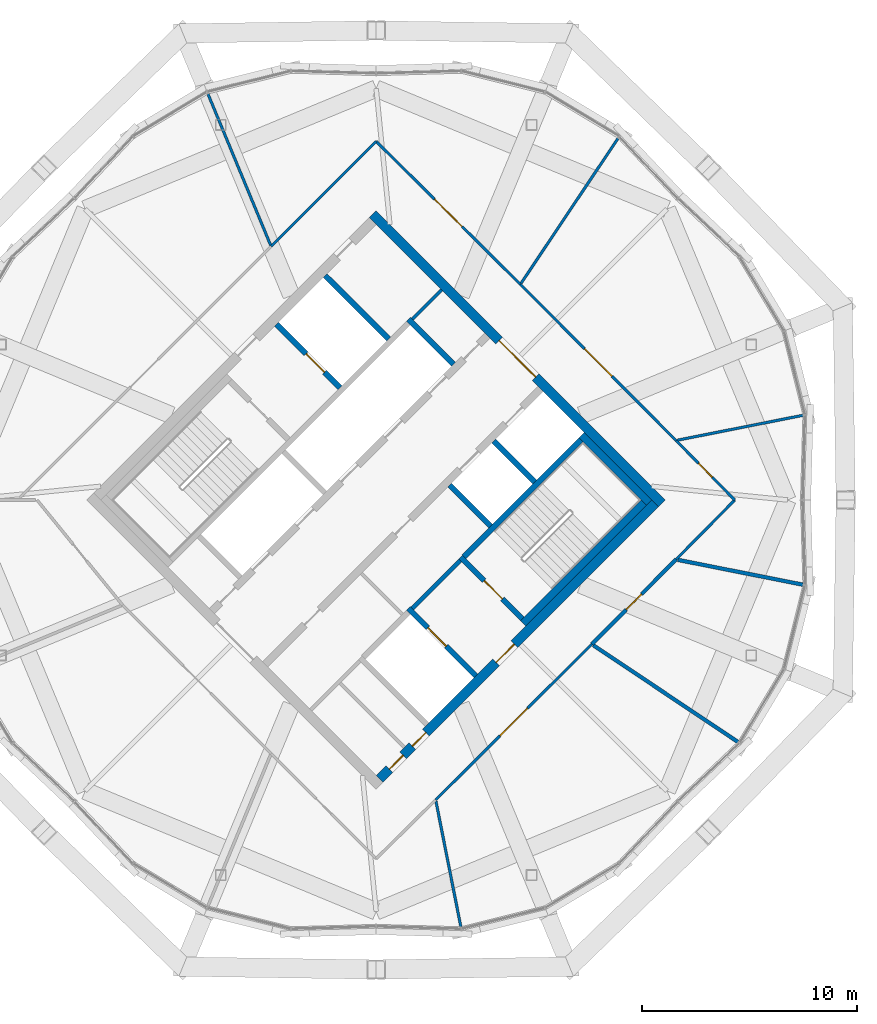
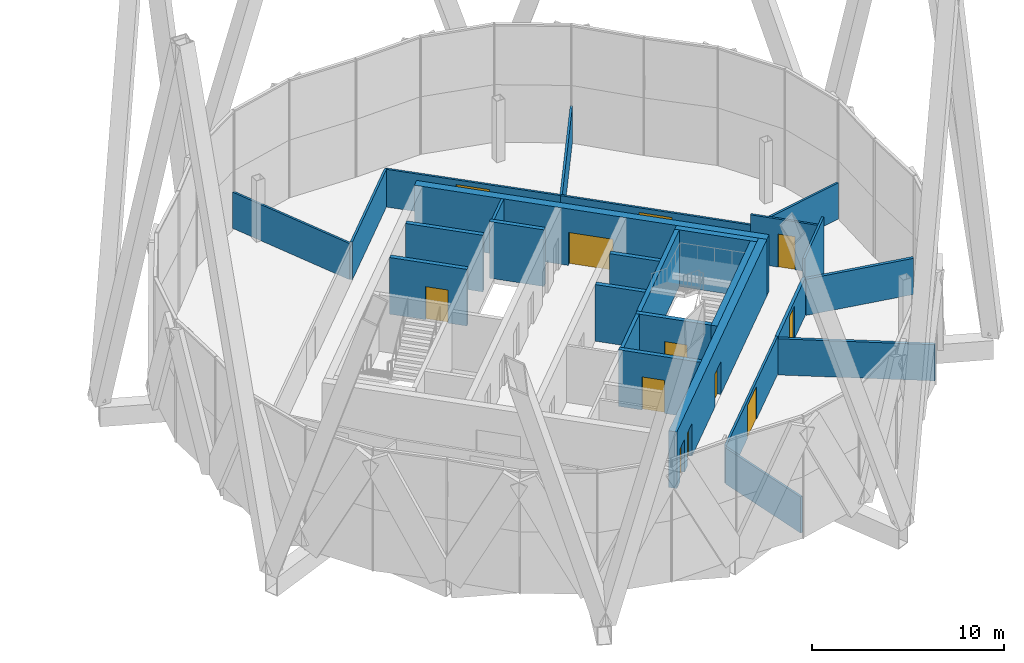
# One storey, part 49 of 53: 27 walls, 12 doors, 12 openings.
"""IFC4 building model written with IfcOpenShell, lengths in metres."""

from ifc_helpers import new_model, si_unit, direction, frame, frame_2d, origin, place, context, subcontext, project, spatial, rectangle, extrude, material, layer, layer_set, type_object, element, fill, save


model = new_model("IFC4")

# Units and contexts
model_context = context("Model", 3, precision=1e-05, world=origin(), true_north=direction((0.0, 1.0)))
body_context = subcontext(model_context, "Body", "Model", "MODEL_VIEW")
ifc_project = project(units=[si_unit("LENGTHUNIT", "METRE"), si_unit("AREAUNIT", "SQUARE_METRE"), si_unit("VOLUMEUNIT", "CUBIC_METRE"), si_unit("PLANEANGLEUNIT", "RADIAN"), si_unit("MASSUNIT", "GRAM", prefix="KILO")], contexts=[model_context])

# Site, building, storey
site_placement = place(None, origin())
site = spatial("IfcSite", under=ifc_project, at=site_placement, CompositionType="ELEMENT")
building_placement = place(site_placement, origin())
building = spatial("IfcBuilding", under=site, at=building_placement, Name="Ogive Gate Towers", CompositionType="ELEMENT")
storey_placement = place(building_placement, frame((0.0, 0.0, 240.60009765625)))
storey = spatial("IfcBuildingStorey", under=building, at=storey_placement, Name="L57", CompositionType="ELEMENT", Elevation=240.60009765625)

# Walls
ifc_material_1 = material(Name="Gypsum board acoustic partition")
ifc_layer_1 = layer(ifc_material_1, 0.175048828125)
ifc_layer_set_1 = layer_set([ifc_layer_1], Name="Acoustic partition 175")
wall_type_1 = type_object("IfcWallType", Name="Acoustic partition 175", PredefinedType="PARTITIONING", material=ifc_layer_set_1)
wall_1_placement = place(storey_placement, frame((52.89599609375, -11.300048828125, 0.0), z_axis=(0.0, 0.0, 1.0), x_axis=(-0.831223715201, 0.555938067852, 0.0)))
element("IfcWall", 1, at=wall_1_placement, inside=storey, type_object=wall_type_1, Name="Partition T2-L57-008", PredefinedType="PARTITIONING", context=body_context, shape_type="SweptSolid", body=[
    extrude(rectangle(XDim=8.1884765625, YDim=0.175048828125, at=frame_2d((4.09423828125, 0.0))), origin(), (0.0, 0.0, 1.0), 2.2998046875),
])
wall_2_placement = place(storey_placement, frame((55.822998046875, -3.93408203125, 0.0), z_axis=(0.0, 0.0, 1.0), x_axis=(-0.9808666392, 0.194680857059, 0.0)))
element("IfcWall", 2, at=wall_2_placement, inside=storey, type_object=wall_type_1, Name="Partition T2-L57-009", PredefinedType="PARTITIONING", context=body_context, shape_type="SweptSolid", body=[
    extrude(rectangle(XDim=5.921630859375, YDim=0.175048828125, at=frame_2d((2.9609375, 0.0))), origin(), (0.0, 0.0, 1.0), 2.2998046875),
])

# Wall, opening, door
wall_3_placement = place(storey_placement, frame((46.016845703125, -6.69921875, 0.0), z_axis=(0.0, 0.0, 1.0), x_axis=(0.705057815865, 0.709149826404, 0.0)))
wall_3 = element("IfcWall", 3, at=wall_3_placement, inside=storey, type_object=wall_type_1, Name="Partition T2-L57-016", PredefinedType="PARTITIONING", context=body_context, shape_type="SweptSolid", body=[
    extrude(rectangle(XDim=5.548583984375, YDim=0.175048828125, at=frame_2d((2.7744140625, 0.0))), origin(), (0.0, 0.0, 1.0), 2.39990234375),
])
opening_1_placement = place(wall_3_placement, frame((2.27392578125, 0.0, 0.0)))
opening_1 = element("IfcOpeningElement", 4, at=opening_1_placement, cuts=wall_3, Name="Opening T2-L57-D06", PredefinedType="OPENING", context=body_context, shape_type="SweptSolid", body=[
    extrude(rectangle(XDim=1.0, YDim=2.10009765625, at=frame_2d((0.5, 1.050048828125))), frame((0.0, 0.09765625, 0.0), z_axis=(0.0, -1.0, 0.0), x_axis=(1.0, 0.0, 0.0)), (0.0, 0.0, 1.0), 0.195068359375),
])
ifc_material_2 = material(Name="Timber door", Category="wood")
door_type_1 = type_object("IfcDoorType", Name="Door 1000", OperationType="NOTDEFINED", PredefinedType="DOOR", material=ifc_material_2)
door_1_placement = place(opening_1_placement, origin())
door_1 = element("IfcDoor", 5, at=door_1_placement, inside=storey, type_object=door_type_1, Name="Door T2-L57-D06", OperationType="SINGLE_SWING_RIGHT", OverallHeight=2.10009765625, OverallWidth=1.0, PredefinedType="DOOR", context=body_context, shape_type="SweptSolid", body=[
    extrude(rectangle(XDim=1.0, YDim=2.10009765625, at=frame_2d((0.5, 1.050048828125))), frame((0.0, 0.02490234375, 0.0), z_axis=(0.0, -1.0, 0.0), x_axis=(1.0, 0.0, 0.0)), (0.0, 0.0, 1.0), 0.050048828125),
])
fill(opening_1, door_1)

# Wall
ifc_material_3 = material(Name="Masonry blockwork", Category="masonry")
ifc_layer_2 = layer(ifc_material_3, 0.199951171875)
ifc_layer_set_2 = layer_set([ifc_layer_2], Name="Blockwork wall 200 mm")
wall_type_2 = type_object("IfcWallType", Name="Blockwork wall 200 mm", PredefinedType="PARTITIONING", material=ifc_layer_set_2)
wall_4_placement = place(storey_placement, frame((37.679443359375, -5.0380859375, 0.0), z_axis=(0.0, 0.0, 1.0), x_axis=(0.707106781187, 0.707106781187, 0.0)))
element("IfcWall", 6, at=wall_4_placement, inside=storey, type_object=wall_type_2, Name="T2 L57 Blockwork wall 200 mm", PredefinedType="PARTITIONING", context=body_context, shape_type="SweptSolid", body=[
    extrude(rectangle(XDim=3.14990234375, YDim=0.199951171875, at=frame_2d((1.574951171875, 0.0))), origin(), (0.0, 0.0, 1.0), 3.599853515625),
])

# Wall, openings, doors
ifc_material_4 = material(Name="Concrete C60/75", Category="concrete")
ifc_layer_3 = layer(ifc_material_4, 0.449951171875)
ifc_layer_set_3 = layer_set([ifc_layer_3], Name="Core wall 450 mm")
wall_type_3 = type_object("IfcWallType", Name="Core wall 450 mm", PredefinedType="SHEAR", material=ifc_layer_set_3)
wall_5_placement = place(storey_placement, frame((36.1591796875, -12.957763671875, 0.0), z_axis=(0.0, 0.0, 1.0), x_axis=(0.707106781187, 0.707106781187, 0.0)))
wall_5 = element("IfcWall", 7, at=wall_5_placement, inside=storey, type_object=wall_type_3, Name="T2 L57 Core wall 450 mm", PredefinedType="SHEAR", context=body_context, shape_type="SweptSolid", body=[
    extrude(rectangle(XDim=18.099853515625, YDim=0.449951171875, at=frame_2d((9.0498046875, 0.0))), origin(), (0.0, 0.0, 1.0), 3.599853515625),
])
opening_2_placement = place(wall_5_placement, frame((7.64990234375, 0.0, 0.0)))
opening_2 = element("IfcOpeningElement", 8, at=opening_2_placement, cuts=wall_5, Name="Opening KD-T2-L57-19", PredefinedType="OPENING", context=body_context, shape_type="SweptSolid", body=[
    extrude(rectangle(XDim=1.199951171875, YDim=2.10009765625, at=frame_2d((0.60009765625, 1.050048828125))), frame((0.0, 0.23486328125, 0.0), z_axis=(0.0, -1.0, 0.0), x_axis=(1.0, 0.0, 0.0)), (0.0, 0.0, 1.0), 0.469970703125),
])
opening_3_placement = place(wall_5_placement, frame((0.64990234375, 0.0, 0.0)))
opening_3 = element("IfcOpeningElement", 9, at=opening_3_placement, cuts=wall_5, Name="Opening KD-T2-L57-21", PredefinedType="OPENING", context=body_context, shape_type="SweptSolid", body=[
    extrude(rectangle(XDim=0.89990234375, YDim=2.10009765625, at=frame_2d((0.449951171875, 1.050048828125))), frame((0.0, 0.23486328125, 0.0), z_axis=(0.0, -1.0, 0.0), x_axis=(1.0, 0.0, 0.0)), (0.0, 0.0, 1.0), 0.469970703125),
])
opening_4_placement = place(wall_5_placement, frame((2.14990234375, 0.0, 0.0)))
opening_4 = element("IfcOpeningElement", 10, at=opening_4_placement, cuts=wall_5, Name="Opening KD-T2-L57-22", PredefinedType="OPENING", context=body_context, shape_type="SweptSolid", body=[
    extrude(rectangle(XDim=0.89990234375, YDim=2.10009765625, at=frame_2d((0.449951171875, 1.050048828125))), frame((0.0, 0.23486328125, 0.0), z_axis=(0.0, -1.0, 0.0), x_axis=(1.0, 0.0, 0.0)), (0.0, 0.0, 1.0), 0.469970703125),
])
door_type_2 = type_object("IfcDoorType", Name="Core WC door 900 x 2100", OperationType="NOTDEFINED", PredefinedType="DOOR", material=ifc_material_2)
door_2_placement = place(opening_3_placement, origin())
door_2 = element("IfcDoor", 11, at=door_2_placement, inside=storey, type_object=door_type_2, Name="T2 L57 Core door", OperationType="SINGLE_SWING_RIGHT", OverallHeight=2.10009765625, OverallWidth=0.89990234375, PredefinedType="DOOR", context=body_context, shape_type="SweptSolid", body=[
    extrude(rectangle(XDim=0.89990234375, YDim=2.10009765625, at=frame_2d((0.449951171875, 1.050048828125))), frame((0.0, 0.02490234375, 0.0), z_axis=(0.0, -1.0, 0.0), x_axis=(1.0, 0.0, 0.0)), (0.0, 0.0, 1.0), 0.050048828125),
])
fill(opening_3, door_2)
door_3_placement = place(opening_4_placement, origin())
door_3 = element("IfcDoor", 12, at=door_3_placement, inside=storey, type_object=door_type_2, Name="T2 L57 Core door", OperationType="SINGLE_SWING_LEFT", OverallHeight=2.10009765625, OverallWidth=0.89990234375, PredefinedType="DOOR", context=body_context, shape_type="SweptSolid", body=[
    extrude(rectangle(XDim=0.89990234375, YDim=2.10009765625, at=frame_2d((0.449951171875, 1.050048828125))), frame((0.0, 0.02490234375, 0.0), z_axis=(0.0, -1.0, 0.0), x_axis=(1.0, 0.0, 0.0)), (0.0, 0.0, 1.0), 0.050048828125),
])
fill(opening_4, door_3)
ifc_material_5 = material(Name="Steel fire door", Category="steel")
door_type_3 = type_object("IfcDoorType", Name="Core door FD60S 1200 x 2100", OperationType="NOTDEFINED", PredefinedType="DOOR", material=ifc_material_5)
door_4_placement = place(opening_2_placement, origin())
door_4 = element("IfcDoor", 13, at=door_4_placement, inside=storey, type_object=door_type_3, Name="T2 L57 Fire-fighting lobby door", OperationType="SINGLE_SWING_RIGHT", OverallHeight=2.10009765625, OverallWidth=1.199951171875, PredefinedType="DOOR", context=body_context, shape_type="SweptSolid", body=[
    extrude(rectangle(XDim=1.199951171875, YDim=2.10009765625, at=frame_2d((0.60009765625, 1.050048828125))), frame((0.0, 0.02490234375, 0.0), z_axis=(0.0, -1.0, 0.0), x_axis=(1.0, 0.0, 0.0)), (0.0, 0.0, 1.0), 0.050048828125),
])
fill(opening_2, door_4)

# Wall, opening, door
wall_6_placement = place(storey_placement, frame((49.27587890625, -0.1591796875, 0.0), z_axis=(0.0, 0.0, 1.0), x_axis=(-0.707106781187, 0.707106781187, 0.0)))
wall_6 = element("IfcWall", 14, at=wall_6_placement, inside=storey, type_object=wall_type_3, Name="T2 L57 Core wall 450 mm", PredefinedType="SHEAR", context=body_context, shape_type="SweptSolid", body=[
    extrude(rectangle(XDim=19.0, YDim=0.449951171875, at=frame_2d((9.5, 0.0))), origin(), (0.0, 0.0, 1.0), 3.599853515625),
])
opening_5_placement = place(wall_6_placement, frame((8.300048828125, 0.0, 0.0)))
opening_5 = element("IfcOpeningElement", 15, at=opening_5_placement, cuts=wall_6, Name="Opening KD-T2-L57-02", PredefinedType="OPENING", context=body_context, shape_type="SweptSolid", body=[
    extrude(rectangle(XDim=2.39990234375, YDim=2.10009765625, at=frame_2d((1.199951171875, 1.050048828125))), frame((0.0, 0.23486328125, 0.0), z_axis=(0.0, -1.0, 0.0), x_axis=(1.0, 0.0, 0.0)), (0.0, 0.0, 1.0), 0.469970703125),
])
door_type_4 = type_object("IfcDoorType", Name="Core double door FD60S 2400 x 2100", OperationType="DOUBLE_DOOR_SINGLE_SWING", PredefinedType="DOOR", material=ifc_material_5)
door_5_placement = place(opening_5_placement, origin())
door_5 = element("IfcDoor", 16, at=door_5_placement, inside=storey, type_object=door_type_4, Name="T2 L57 Core door double", OperationType="DOUBLE_DOOR_SINGLE_SWING", OverallHeight=2.10009765625, OverallWidth=2.39990234375, PredefinedType="DOOR", context=body_context, shape_type="SweptSolid", body=[
    extrude(rectangle(XDim=2.39990234375, YDim=2.10009765625, at=frame_2d((1.199951171875, 1.050048828125))), frame((0.0, 0.02490234375, 0.0), z_axis=(0.0, -1.0, 0.0), x_axis=(1.0, 0.0, 0.0)), (0.0, 0.0, 1.0), 0.050048828125),
])
fill(opening_5, door_5)

# Walls
ifc_material_6 = material(Name="Gypsum board partition")
ifc_layer_4 = layer(ifc_material_6, 0.125)
ifc_layer_set_4 = layer_set([ifc_layer_4], Name="Partition 125")
wall_type_4 = type_object("IfcWallType", Name="Partition 125", PredefinedType="PARTITIONING", material=ifc_layer_set_4)
wall_7_placement = place(storey_placement, frame((55.822998046875, 3.93408203125, 0.0), z_axis=(0.0, 0.0, 1.0), x_axis=(-0.980873285641, -0.194647367093, 0.0)))
element("IfcWall", 17, at=wall_7_placement, inside=storey, type_object=wall_type_4, Name="Partition T2-L57-001", PredefinedType="PARTITIONING", context=body_context, shape_type="SweptSolid", body=[
    extrude(rectangle(XDim=5.946533203125, YDim=0.125, at=frame_2d((2.97314453125, 0.0))), origin(), (0.0, 0.0, 1.0), 2.2998046875),
])
wall_8_placement = place(storey_placement, frame((47.300048828125, 16.89599609375, 0.0), z_axis=(0.0, 0.0, 1.0), x_axis=(-0.555927420899, -0.831230835985, 0.0)))
element("IfcWall", 18, at=wall_8_placement, inside=storey, type_object=wall_type_4, Name="Partition T2-L57-002", PredefinedType="PARTITIONING", context=body_context, shape_type="SweptSolid", body=[
    extrude(rectangle(XDim=8.213623046875, YDim=0.125, at=frame_2d((4.10693359375, 0.0))), origin(), (0.0, 0.0, 1.0), 2.2998046875),
])
wall_9_placement = place(storey_placement, frame((28.155517578125, 18.93798828125, 0.0), z_axis=(0.0, 0.0, 1.0), x_axis=(0.382690357736, -0.923876663898, 0.0)))
element("IfcWall", 19, at=wall_9_placement, inside=storey, type_object=wall_type_4, Name="Partition T2-L57-003", PredefinedType="PARTITIONING", context=body_context, shape_type="SweptSolid", body=[
    extrude(rectangle(XDim=7.684814453125, YDim=0.125, at=frame_2d((3.84228515625, 0.0))), origin(), (0.0, 0.0, 1.0), 2.2998046875),
])
wall_10_placement = place(storey_placement, frame((39.93408203125, -19.822998046875, 0.0), z_axis=(0.0, 0.0, 1.0), x_axis=(-0.194647367093, 0.980873285641, 0.0)))
element("IfcWall", 20, at=wall_10_placement, inside=storey, type_object=wall_type_4, Name="Partition T2-L57-007", PredefinedType="PARTITIONING", context=body_context, shape_type="SweptSolid", body=[
    extrude(rectangle(XDim=5.946533203125, YDim=0.125, at=frame_2d((2.97314453125, 0.0))), origin(), (0.0, 0.0, 1.0), 2.2998046875),
])

# Wall, opening, door
wall_11_placement = place(storey_placement, frame((38.764404296875, -13.928955078125, 0.0), z_axis=(0.0, 0.0, 1.0), x_axis=(0.708214508898, 0.705997315424, 0.0)))
wall_11 = element("IfcWall", 21, at=wall_11_placement, inside=storey, type_object=wall_type_4, Name="Partition T2-L57-015", PredefinedType="PARTITIONING", context=body_context, shape_type="SweptSolid", body=[
    extrude(rectangle(XDim=10.240478515625, YDim=0.125, at=frame_2d((5.1201171875, 0.0))), origin(), (0.0, 0.0, 1.0), 2.39990234375),
])
opening_6_placement = place(wall_11_placement, frame((4.219970703125, 0.0, 0.0)))
opening_6 = element("IfcOpeningElement", 22, at=opening_6_placement, cuts=wall_11, Name="Opening T2-L57-D05", PredefinedType="OPENING", context=body_context, shape_type="SweptSolid", body=[
    extrude(rectangle(XDim=1.800048828125, YDim=2.10009765625, at=frame_2d((0.89990234375, 1.050048828125))), frame((0.0, 0.072509765625, 0.0), z_axis=(0.0, -1.0, 0.0), x_axis=(1.0, 0.0, 0.0)), (0.0, 0.0, 1.0), 0.14501953125),
])
door_type_5 = type_object("IfcDoorType", Name="Door pair 1800", OperationType="NOTDEFINED", PredefinedType="DOOR", material=ifc_material_2)
door_6_placement = place(opening_6_placement, origin())
door_6 = element("IfcDoor", 23, at=door_6_placement, inside=storey, type_object=door_type_5, Name="Door T2-L57-D05", OperationType="DOUBLE_DOOR_DOUBLE_SWING", OverallHeight=2.10009765625, OverallWidth=1.800048828125, PredefinedType="DOOR", context=body_context, shape_type="SweptSolid", body=[
    extrude(rectangle(XDim=1.800048828125, YDim=2.10009765625, at=frame_2d((0.89990234375, 1.050048828125))), frame((0.0, 0.02490234375, 0.0), z_axis=(0.0, -1.0, 0.0), x_axis=(1.0, 0.0, 0.0)), (0.0, 0.0, 1.0), 0.050048828125),
])
fill(opening_6, door_6)

wall_12_placement = place(storey_placement, frame((52.659423828125, 0.0, 0.0), z_axis=(0.0, 0.0, 1.0), x_axis=(-0.702726389959, 0.711460203282, 0.0)))
wall_12 = element("IfcWall", 24, at=wall_12_placement, inside=storey, type_object=wall_type_4, Name="Partition T2-L57-017", PredefinedType="PARTITIONING", context=body_context, shape_type="SweptSolid", body=[
    extrude(rectangle(XDim=3.885498046875, YDim=0.125, at=frame_2d((1.94287109375, 0.0))), origin(), (0.0, 0.0, 1.0), 3.0498046875),
])
opening_7_placement = place(wall_12_placement, frame((1.492919921875, 0.0, 0.0)))
opening_7 = element("IfcOpeningElement", 25, at=opening_7_placement, cuts=wall_12, Name="Opening T2-L57-D07", PredefinedType="OPENING", context=body_context, shape_type="SweptSolid", body=[
    extrude(rectangle(XDim=0.89990234375, YDim=2.10009765625, at=frame_2d((0.449951171875, 1.050048828125))), frame((0.0, 0.072509765625, 0.0), z_axis=(0.0, -1.0, 0.0), x_axis=(1.0, 0.0, 0.0)), (0.0, 0.0, 1.0), 0.14501953125),
])
door_type_6 = type_object("IfcDoorType", Name="Door 900", OperationType="NOTDEFINED", PredefinedType="DOOR", material=ifc_material_2)
door_7_placement = place(opening_7_placement, origin())
door_7 = element("IfcDoor", 26, at=door_7_placement, inside=storey, type_object=door_type_6, Name="Door T2-L57-D07", OperationType="SINGLE_SWING_LEFT", OverallHeight=2.10009765625, OverallWidth=0.89990234375, PredefinedType="DOOR", context=body_context, shape_type="SweptSolid", body=[
    extrude(rectangle(XDim=0.89990234375, YDim=2.10009765625, at=frame_2d((0.449951171875, 1.050048828125))), frame((0.0, 0.02490234375, 0.0), z_axis=(0.0, -1.0, 0.0), x_axis=(1.0, 0.0, 0.0)), (0.0, 0.0, 1.0), 0.050048828125),
])
fill(opening_7, door_7)

# Wall
wall_13_placement = place(storey_placement, frame((49.928955078125, -2.764404296875, 0.0), z_axis=(0.0, 0.0, 1.0), x_axis=(0.702726389959, 0.711460203282, 0.0)))
element("IfcWall", 27, at=wall_13_placement, inside=storey, type_object=wall_type_4, Name="Partition T2-L57-018", PredefinedType="PARTITIONING", context=body_context, shape_type="SweptSolid", body=[
    extrude(rectangle(XDim=3.885498046875, YDim=0.125, at=frame_2d((1.94287109375, 0.0))), origin(), (0.0, 0.0, 1.0), 3.599853515625),
])

# Wall, opening, door
wall_14_placement = place(storey_placement, frame((49.928955078125, 2.764404296875, 0.0), z_axis=(0.0, 0.0, 1.0), x_axis=(-0.705997315424, 0.708214508898, 0.0)))
wall_14 = element("IfcWall", 28, at=wall_14_placement, inside=storey, type_object=wall_type_4, Name="Partition T2-L57-019", PredefinedType="PARTITIONING", context=body_context, shape_type="SweptSolid", body=[
    extrude(rectangle(XDim=10.240478515625, YDim=0.125, at=frame_2d((5.1201171875, 0.0))), origin(), (0.0, 0.0, 1.0), 2.39990234375),
])
opening_8_placement = place(wall_14_placement, frame((4.219970703125, 0.0, 0.0)))
opening_8 = element("IfcOpeningElement", 29, at=opening_8_placement, cuts=wall_14, Name="Opening T2-L57-D08", PredefinedType="OPENING", context=body_context, shape_type="SweptSolid", body=[
    extrude(rectangle(XDim=1.800048828125, YDim=2.10009765625, at=frame_2d((0.89990234375, 1.050048828125))), frame((0.0, 0.072509765625, 0.0), z_axis=(0.0, -1.0, 0.0), x_axis=(1.0, 0.0, 0.0)), (0.0, 0.0, 1.0), 0.14501953125),
])
door_8_placement = place(opening_8_placement, origin())
door_8 = element("IfcDoor", 30, at=door_8_placement, inside=storey, type_object=door_type_5, Name="Door T2-L57-D08", OperationType="DOUBLE_DOOR_DOUBLE_SWING", OverallHeight=2.10009765625, OverallWidth=1.800048828125, PredefinedType="DOOR", context=body_context, shape_type="SweptSolid", body=[
    extrude(rectangle(XDim=1.800048828125, YDim=2.10009765625, at=frame_2d((0.89990234375, 1.050048828125))), frame((0.0, 0.02490234375, 0.0), z_axis=(0.0, -1.0, 0.0), x_axis=(1.0, 0.0, 0.0)), (0.0, 0.0, 1.0), 0.050048828125),
])
fill(opening_8, door_8)

wall_15_placement = place(storey_placement, frame((42.69921875, 10.016845703125, 0.0), z_axis=(0.0, 0.0, 1.0), x_axis=(-0.710102299362, 0.704098518988, 0.0)))
wall_15 = element("IfcWall", 31, at=wall_15_placement, inside=storey, type_object=wall_type_4, Name="Partition T2-L57-020", PredefinedType="PARTITIONING", context=body_context, shape_type="SweptSolid", body=[
    extrude(rectangle(XDim=9.43408203125, YDim=0.125, at=frame_2d((4.717041015625, 0.0))), origin(), (0.0, 0.0, 1.0), 2.39990234375),
])
opening_9_placement = place(wall_15_placement, frame((3.81689453125, 0.0, 0.0)))
opening_9 = element("IfcOpeningElement", 32, at=opening_9_placement, cuts=wall_15, Name="Opening T2-L57-D09", PredefinedType="OPENING", context=body_context, shape_type="SweptSolid", body=[
    extrude(rectangle(XDim=1.800048828125, YDim=2.10009765625, at=frame_2d((0.89990234375, 1.050048828125))), frame((0.0, 0.072509765625, 0.0), z_axis=(0.0, -1.0, 0.0), x_axis=(1.0, 0.0, 0.0)), (0.0, 0.0, 1.0), 0.14501953125),
])
door_9_placement = place(opening_9_placement, origin())
door_9 = element("IfcDoor", 33, at=door_9_placement, inside=storey, type_object=door_type_5, Name="Door T2-L57-D09", OperationType="DOUBLE_DOOR_DOUBLE_SWING", OverallHeight=2.10009765625, OverallWidth=1.800048828125, PredefinedType="DOOR", context=body_context, shape_type="SweptSolid", body=[
    extrude(rectangle(XDim=1.800048828125, YDim=2.10009765625, at=frame_2d((0.89990234375, 1.050048828125))), frame((0.0, 0.02490234375, 0.0), z_axis=(0.0, -1.0, 0.0), x_axis=(1.0, 0.0, 0.0)), (0.0, 0.0, 1.0), 0.050048828125),
])
fill(opening_9, door_9)

# Walls
wall_16_placement = place(storey_placement, frame((36.0, 16.659423828125, 0.0), z_axis=(0.0, 0.0, 1.0), x_axis=(-0.70715985068, -0.70705370771, 0.0)))
element("IfcWall", 34, at=wall_16_placement, inside=storey, type_object=wall_type_4, Name="Partition T2-L57-021", PredefinedType="PARTITIONING", context=body_context, shape_type="SweptSolid", body=[
    extrude(rectangle(XDim=6.900390625, YDim=0.125, at=frame_2d((3.4501953125, 0.0))), origin(), (0.0, 0.0, 1.0), 2.39990234375),
])
ifc_layer_5 = layer(ifc_material_6, 0.14990234375)
ifc_layer_set_5 = layer_set([ifc_layer_5], Name="Room partition 150 mm")
wall_type_5 = type_object("IfcWallType", Name="Room partition 150 mm", PredefinedType="PARTITIONING", material=ifc_layer_set_5)
wall_17_placement = place(storey_placement, frame((37.679443359375, 8.39697265625, 0.0), z_axis=(0.0, 0.0, 1.0), x_axis=(0.707106781187, 0.707106781187, 0.0)))
element("IfcWall", 35, at=wall_17_placement, inside=storey, type_object=wall_type_5, Name="T2 L57 Room partition 150 mm", PredefinedType="PARTITIONING", context=body_context, shape_type="SweptSolid", body=[
    extrude(rectangle(XDim=1.9248046875, YDim=0.14990234375, at=frame_2d((0.96240234375, 0.0))), origin(), (0.0, 0.0, 1.0), 3.599853515625),
])
ifc_layer_6 = layer(ifc_material_4, 0.25)
ifc_layer_set_6 = layer_set([ifc_layer_6], Name="Shaft wall 250 mm")
wall_type_6 = type_object("IfcWallType", Name="Shaft wall 250 mm", PredefinedType="SHEAR", material=ifc_layer_set_6)
wall_18_placement = place(storey_placement, frame((40.08349609375, -2.634033203125, 0.0), z_axis=(0.0, 0.0, 1.0), x_axis=(0.707090876314, 0.707122685701, 0.0)))
element("IfcWall", 36, at=wall_18_placement, inside=storey, type_object=wall_type_6, Name="T2 L57 Shaft wall 250 mm", PredefinedType="SHEAR", context=body_context, shape_type="SweptSolid", body=[
    extrude(rectangle(XDim=7.675048828125, YDim=0.25, at=frame_2d((3.83740234375, 0.0))), origin(), (0.0, 0.0, 1.0), 3.599853515625),
])

# Wall, opening, door
wall_19_placement = place(storey_placement, frame((40.631591796875, -8.1669921875, 0.0), z_axis=(0.0, 0.0, 1.0), x_axis=(-0.707106781187, 0.707106781187, 0.0)))
wall_19 = element("IfcWall", 37, at=wall_19_placement, inside=storey, type_object=wall_type_6, Name="T2 L57 Shaft wall 250 mm", PredefinedType="SHEAR", context=body_context, shape_type="SweptSolid", body=[
    extrude(rectangle(XDim=4.425048828125, YDim=0.25, at=frame_2d((2.21240234375, 0.0))), origin(), (0.0, 0.0, 1.0), 3.599853515625),
])
opening_10_placement = place(wall_19_placement, frame((1.949951171875, 0.0, 0.0)))
opening_10 = element("IfcOpeningElement", 38, at=opening_10_placement, cuts=wall_19, Name="Opening LD-T2-L57-13", PredefinedType="OPENING", context=body_context, shape_type="SweptSolid", body=[
    extrude(rectangle(XDim=1.199951171875, YDim=2.10009765625, at=frame_2d((0.60009765625, 1.050048828125))), frame((0.0, 0.135009765625, 0.0), z_axis=(0.0, -1.0, 0.0), x_axis=(1.0, 0.0, 0.0)), (0.0, 0.0, 1.0), 0.27001953125),
])
ifc_material_7 = material(Name="Stainless steel landing door", Category="steel")
door_type_7 = type_object("IfcDoorType", Name="Landing door 1200 x 2100", OperationType="SLIDING_TO_LEFT", PredefinedType="DOOR", material=ifc_material_7)
door_10_placement = place(opening_10_placement, origin())
door_10 = element("IfcDoor", 39, at=door_10_placement, inside=storey, type_object=door_type_7, Name="T2 L57 Lift landing door FF2", OperationType="SLIDING_TO_LEFT", OverallHeight=2.10009765625, OverallWidth=1.199951171875, PredefinedType="DOOR", context=body_context, shape_type="SweptSolid", body=[
    extrude(rectangle(XDim=1.199951171875, YDim=2.10009765625, at=frame_2d((0.60009765625, 1.050048828125))), frame((0.0, 0.02490234375, 0.0), z_axis=(0.0, -1.0, 0.0), x_axis=(1.0, 0.0, 0.0)), (0.0, 0.0, 1.0), 0.050048828125),
])
fill(opening_10, door_10)

wall_20_placement = place(storey_placement, frame((42.7880859375, -5.515380859375, 0.0), z_axis=(0.0, 0.0, 1.0), x_axis=(-0.707106781187, 0.707106781187, 0.0)))
wall_20 = element("IfcWall", 40, at=wall_20_placement, inside=storey, type_object=wall_type_6, Name="T2 L57 Shaft wall 250 mm", PredefinedType="SHEAR", context=body_context, shape_type="SweptSolid", body=[
    extrude(rectangle(XDim=4.050048828125, YDim=0.25, at=frame_2d((2.02490234375, 0.0))), origin(), (0.0, 0.0, 1.0), 3.599853515625),
])
opening_11_placement = place(wall_20_placement, frame((1.300048828125, 0.0, 0.0)))
opening_11 = element("IfcOpeningElement", 41, at=opening_11_placement, cuts=wall_20, Name="Opening KD-T2-L57-17", PredefinedType="OPENING", context=body_context, shape_type="SweptSolid", body=[
    extrude(rectangle(XDim=1.199951171875, YDim=2.10009765625, at=frame_2d((0.60009765625, 1.050048828125))), frame((0.0, 0.135009765625, 0.0), z_axis=(0.0, -1.0, 0.0), x_axis=(1.0, 0.0, 0.0)), (0.0, 0.0, 1.0), 0.27001953125),
])
door_11_placement = place(opening_11_placement, origin())
door_11 = element("IfcDoor", 42, at=door_11_placement, inside=storey, type_object=door_type_3, Name="T2 L57 Stair door", OperationType="SINGLE_SWING_RIGHT", OverallHeight=2.10009765625, OverallWidth=1.199951171875, PredefinedType="DOOR", context=body_context, shape_type="SweptSolid", body=[
    extrude(rectangle(XDim=1.199951171875, YDim=2.10009765625, at=frame_2d((0.60009765625, 1.050048828125))), frame((0.0, 0.02490234375, 0.0), z_axis=(0.0, -1.0, 0.0), x_axis=(1.0, 0.0, 0.0)), (0.0, 0.0, 1.0), 0.050048828125),
])
fill(opening_11, door_11)

wall_21_placement = place(storey_placement, frame((34.320556640625, 5.21484375, 0.0), z_axis=(0.0, 0.0, 1.0), x_axis=(-0.707106781187, 0.707106781187, 0.0)))
wall_21 = element("IfcWall", 43, at=wall_21_placement, inside=storey, type_object=wall_type_6, Name="T2 L57 Shaft wall 250 mm", PredefinedType="SHEAR", context=body_context, shape_type="SweptSolid", body=[
    extrude(rectangle(XDim=4.175048828125, YDim=0.25, at=frame_2d((2.08740234375, 0.0))), origin(), (0.0, 0.0, 1.0), 3.599853515625),
])
opening_12_placement = place(wall_21_placement, frame((1.02490234375, 0.0, 0.0)))
opening_12 = element("IfcOpeningElement", 44, at=opening_12_placement, cuts=wall_21, Name="Opening LD-T2-L57-12", PredefinedType="OPENING", context=body_context, shape_type="SweptSolid", body=[
    extrude(rectangle(XDim=1.199951171875, YDim=2.10009765625, at=frame_2d((0.60009765625, 1.050048828125))), frame((0.0, 0.135009765625, 0.0), z_axis=(0.0, -1.0, 0.0), x_axis=(1.0, 0.0, 0.0)), (0.0, 0.0, 1.0), 0.27001953125),
])
door_12_placement = place(opening_12_placement, origin())
door_12 = element("IfcDoor", 45, at=door_12_placement, inside=storey, type_object=door_type_7, Name="T2 L57 Lift landing door FF1", OperationType="SLIDING_TO_LEFT", OverallHeight=2.10009765625, OverallWidth=1.199951171875, PredefinedType="DOOR", context=body_context, shape_type="SweptSolid", body=[
    extrude(rectangle(XDim=1.199951171875, YDim=2.10009765625, at=frame_2d((0.60009765625, 1.050048828125))), frame((0.0, 0.02490234375, 0.0), z_axis=(0.0, -1.0, 0.0), x_axis=(1.0, 0.0, 0.0)), (0.0, 0.0, 1.0), 0.050048828125),
])
fill(opening_12, door_12)

# Walls
wall_22_placement = place(storey_placement, frame((41.321044921875, -1.2197265625, 0.0), z_axis=(0.0, 0.0, 1.0), x_axis=(-0.707106781187, 0.707106781187, 0.0)))
element("IfcWall", 46, at=wall_22_placement, inside=storey, type_object=wall_type_6, Name="T2 L57 Shaft wall 250 mm", PredefinedType="SHEAR", context=body_context, shape_type="SweptSolid", body=[
    extrude(rectangle(XDim=2.699951171875, YDim=0.25, at=frame_2d((1.35009765625, 0.0))), origin(), (0.0, 0.0, 1.0), 3.599853515625),
])
wall_23_placement = place(storey_placement, frame((36.58349609375, 7.477783203125, 0.0), z_axis=(0.0, 0.0, 1.0), x_axis=(-0.707165256008, 0.707048301529, 0.0)))
element("IfcWall", 47, at=wall_23_placement, inside=storey, type_object=wall_type_6, Name="T2 L57 Shaft wall 250 mm", PredefinedType="SHEAR", context=body_context, shape_type="SweptSolid", body=[
    extrude(rectangle(XDim=4.175048828125, YDim=0.25, at=frame_2d((2.08740234375, 0.0))), origin(), (0.0, 0.0, 1.0), 3.599853515625),
])
wall_24_placement = place(storey_placement, frame((43.37158203125, 0.830810546875, 0.0), z_axis=(0.0, 0.0, 1.0), x_axis=(-0.707106781187, 0.707106781187, 0.0)))
element("IfcWall", 48, at=wall_24_placement, inside=storey, type_object=wall_type_6, Name="T2 L57 Shaft wall 250 mm", PredefinedType="SHEAR", context=body_context, shape_type="SweptSolid", body=[
    extrude(rectangle(XDim=2.699951171875, YDim=0.25, at=frame_2d((1.35009765625, 0.0))), origin(), (0.0, 0.0, 1.0), 3.599853515625),
])
wall_25_placement = place(storey_placement, frame((39.588623046875, 6.310791015625, 0.0), z_axis=(0.0, 0.0, 1.0), x_axis=(-0.707065402085, 0.707148157867, 0.0)))
element("IfcWall", 49, at=wall_25_placement, inside=storey, type_object=wall_type_6, Name="T2 L57 Shaft wall 250 mm", PredefinedType="SHEAR", context=body_context, shape_type="SweptSolid", body=[
    extrude(rectangle(XDim=2.9501953125, YDim=0.25, at=frame_2d((1.47509765625, 0.0))), origin(), (0.0, 0.0, 1.0), 3.599853515625),
])
ifc_layer_7 = layer(ifc_material_4, 0.35009765625)
ifc_layer_set_7 = layer_set([ifc_layer_7], Name="Stair wall 350 mm")
wall_type_7 = type_object("IfcWallType", Name="Stair wall 350 mm", PredefinedType="SHEAR", material=ifc_layer_set_7)
wall_26_placement = place(storey_placement, frame((42.823486328125, -5.7275390625, 0.0), z_axis=(0.0, 0.0, 1.0), x_axis=(0.707122184046, 0.707091377991, 0.0)))
element("IfcWall", 50, at=wall_26_placement, inside=storey, type_object=wall_type_7, Name="T2 L57 Stair wall 350 mm", PredefinedType="SHEAR", context=body_context, shape_type="SweptSolid", body=[
    extrude(rectangle(XDim=7.925048828125, YDim=0.35009765625, at=frame_2d((3.96240234375, 0.0))), origin(), (0.0, 0.0, 1.0), 3.599853515625),
])
wall_27_placement = place(storey_placement, frame((48.6748046875, -0.123779296875, 0.0), z_axis=(0.0, 0.0, 1.0), x_axis=(-0.707106781187, 0.707106781187, 0.0)))
element("IfcWall", 51, at=wall_27_placement, inside=storey, type_object=wall_type_7, Name="T2 L57 Stair wall 350 mm", PredefinedType="SHEAR", context=body_context, shape_type="SweptSolid", body=[
    extrude(rectangle(XDim=4.425048828125, YDim=0.35009765625, at=frame_2d((2.21240234375, 0.0))), origin(), (0.0, 0.0, 1.0), 3.599853515625),
])

save(model, "model.ifc")
